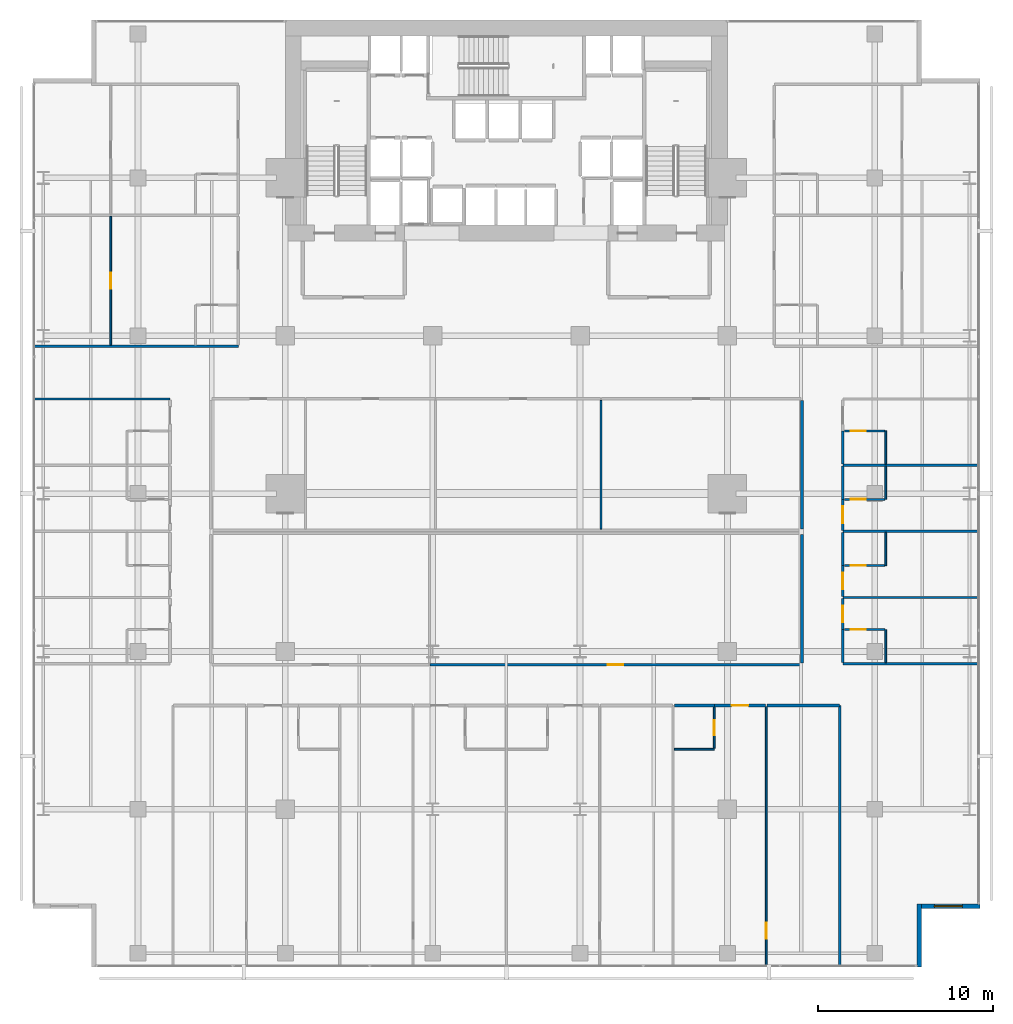
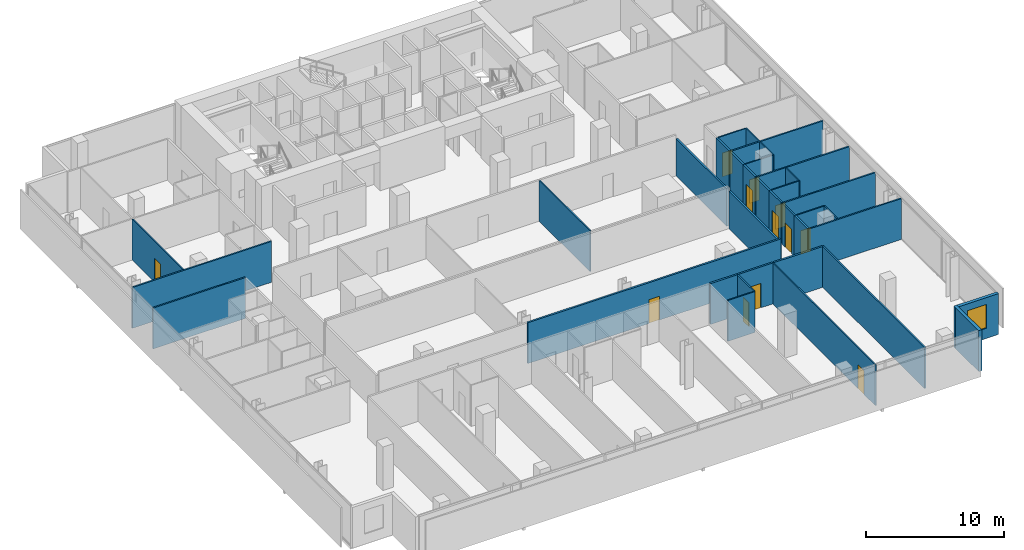
# One storey, part 34 of 40: 35 walls, 12 doors, 1 window, 13 openings.
"""IFC4 building model written with IfcOpenShell, lengths in metres."""

from ifc_helpers import new_model, si_unit, direction, frame, frame_2d, origin, place, context, subcontext, project, spatial, rectangle, extrude, material, layer, layer_set, type_object, element, fill, save


model = new_model("IFC4")

# Units and contexts
model_context = context("Model", 3, precision=1e-05, world=origin(), true_north=direction((0.0, 1.0)))
body_context = subcontext(model_context, "Body", "Model", "MODEL_VIEW")
ifc_project = project(units=[si_unit("LENGTHUNIT", "METRE"), si_unit("AREAUNIT", "SQUARE_METRE"), si_unit("VOLUMEUNIT", "CUBIC_METRE"), si_unit("PLANEANGLEUNIT", "RADIAN"), si_unit("MASSUNIT", "GRAM", prefix="KILO")], contexts=[model_context])

# Site, building, storey
site_placement = place(None, origin())
site = spatial("IfcSite", under=ifc_project, at=site_placement, CompositionType="ELEMENT")
building_placement = place(site_placement, origin())
building = spatial("IfcBuilding", under=site, at=building_placement, Name="Maruvema Waterfront Hotel and Observation Tower", CompositionType="ELEMENT")
storey_placement = place(building_placement, frame((0.0, 0.0, 103.949951171875)))
storey = spatial("IfcBuildingStorey", under=building, at=storey_placement, Name="L25", CompositionType="ELEMENT", Elevation=103.949951171875)

# Walls
ifc_material_1 = material(Name="Twin-stud acoustic gypsum drywall", Category="gypsum")
ifc_layer_1 = layer(ifc_material_1, 0.14990234375, Name="Acoustic Corridor and Suite Demising Wall 150 mm")
ifc_layer_set_1 = layer_set([ifc_layer_1], Name="Twin-stud acoustic gypsum drywall")
wall_type_1 = type_object("IfcWallType", Name="Acoustic Corridor and Suite Demising Wall 150 mm", PredefinedType="PARTITIONING", material=ifc_layer_set_1)
wall_1_placement = place(storey_placement, frame((54.64990234375, 24.97998046875, 0.0), z_axis=(0.0, 0.0, 1.0), x_axis=(0.0, 1.0, 0.0)))
element("IfcWall", 1, at=wall_1_placement, inside=storey, type_object=wall_type_1, Name="L25 L25-INTN East Wall 014", PredefinedType="PARTITIONING", context=body_context, shape_type="SweptSolid", body=[
    extrude(rectangle(XDim=7.340087890625, YDim=0.14990234375, at=frame_2d((3.669921875, 0.0))), origin(), (0.0, 0.0, 1.0), 3.29296875),
])
wall_2_placement = place(storey_placement, frame((54.64990234375, 17.330078125, 0.0), z_axis=(0.0, 0.0, 1.0), x_axis=(0.0, 1.0, 0.0)))
element("IfcWall", 2, at=wall_2_placement, inside=storey, type_object=wall_type_1, Name="L25 L25-INTS East Wall 024", PredefinedType="PARTITIONING", context=body_context, shape_type="SweptSolid", body=[
    extrude(rectangle(XDim=7.329833984375, YDim=0.14990234375, at=frame_2d((3.6650390625, 0.0))), origin(), (0.0, 0.0, 1.0), 3.29296875),
])

# Wall, opening, door
wall_3_placement = place(storey_placement, frame((33.448974609375, 17.25, 0.0), z_axis=(0.0, 0.0, 1.0), x_axis=(1.0, 0.0, 0.0)))
wall_3 = element("IfcWall", 3, at=wall_3_placement, inside=storey, type_object=wall_type_1, Name="L25 L25-INTS Front 2 027", PredefinedType="PARTITIONING", context=body_context, shape_type="SweptSolid", body=[
    extrude(rectangle(XDim=21.14111328125, YDim=0.14990234375, at=frame_2d((10.570556640625, 0.0))), origin(), (0.0, 0.0, 1.0), 3.610107421875),
])
opening_1_placement = place(wall_3_placement, frame((10.12060546875, 0.0, 0.0)))
opening_1 = element("IfcOpeningElement", 4, at=opening_1_placement, cuts=wall_3, Name="Opening DR-090", PredefinedType="OPENING", context=body_context, shape_type="SweptSolid", body=[
    extrude(rectangle(XDim=0.89990234375, YDim=2.10009765625, at=frame_2d((0.449951171875, 1.050048828125))), frame((0.0, 0.0849609375, 0.0), z_axis=(0.0, -1.0, 0.0), x_axis=(1.0, 0.0, 0.0)), (0.0, 0.0, 1.0), 0.169921875),
])
ifc_material_2 = material(Name="Solid-core lacquered timber leaf", Category="wood")
door_type_1 = type_object("IfcDoorType", Name="Accessible Toilet and Room Door 900x2100 mm", OperationType="NOTDEFINED", PredefinedType="DOOR", material=ifc_material_2)
door_1_placement = place(opening_1_placement, frame((0.89990234375, 0.0, 0.0), z_axis=(0.0, 0.0, 1.0), x_axis=(-1.0, 0.0, 0.0)))
door_1 = element("IfcDoor", 5, at=door_1_placement, inside=storey, type_object=door_type_1, Name="L25 Housekeeping Linen Room Door", OperationType="SINGLE_SWING_LEFT", OverallHeight=2.10009765625, OverallWidth=0.89990234375, PredefinedType="DOOR", context=body_context, shape_type="SweptSolid", body=[
    extrude(rectangle(XDim=0.89990234375, YDim=2.10009765625, at=frame_2d((0.449951171875, 1.050048828125))), frame((0.0, 0.02490234375, 0.0), z_axis=(0.0, -1.0, 0.0), x_axis=(1.0, 0.0, 0.0)), (0.0, 0.0, 1.0), 0.050048828125),
])
fill(opening_1, door_1)

# Wall
wall_4_placement = place(storey_placement, frame((47.3798828125, 14.919921875, 0.0), z_axis=(0.0, 0.0, 1.0), x_axis=(1.0, 0.0, 0.0)))
element("IfcWall", 6, at=wall_4_placement, inside=storey, type_object=wall_type_1, Name="L25 Bath L25-S4 Back Wall 051", PredefinedType="PARTITIONING", context=body_context, shape_type="SweptSolid", body=[
    extrude(rectangle(XDim=2.27001953125, YDim=0.14990234375, at=frame_2d((1.135009765625, 0.0))), origin(), (0.0, 0.0, 1.0), 3.610107421875),
])

# Wall, opening, door
wall_5_placement = place(storey_placement, frame((49.64990234375, 14.919921875, 0.0), z_axis=(0.0, 0.0, 1.0), x_axis=(1.0, 0.0, 0.0)))
wall_5 = element("IfcWall", 7, at=wall_5_placement, inside=storey, type_object=wall_type_1, Name="L25 Unit L25-S4 Corridor Wall 054", PredefinedType="PARTITIONING", context=body_context, shape_type="SweptSolid", body=[
    extrude(rectangle(XDim=2.93017578125, YDim=0.14990234375, at=frame_2d((1.465087890625, 0.0))), origin(), (0.0, 0.0, 1.0), 3.610107421875),
])
opening_2_placement = place(wall_5_placement, frame((0.989990234375, 0.0, 0.0)))
opening_2 = element("IfcOpeningElement", 8, at=opening_2_placement, cuts=wall_5, Name="Opening DR-095", PredefinedType="OPENING", context=body_context, shape_type="SweptSolid", body=[
    extrude(rectangle(XDim=0.949951171875, YDim=2.14990234375, at=frame_2d((0.47509765625, 1.074951171875))), frame((0.0, 0.0849609375, 0.0), z_axis=(0.0, -1.0, 0.0), x_axis=(1.0, 0.0, 0.0)), (0.0, 0.0, 1.0), 0.169921875),
])
ifc_material_3 = material(Name="Acoustic solid-core hardwood timber leaf", Category="wood")
door_type_2 = type_object("IfcDoorType", Name="Guestroom Entrance Fire Door 950x2150 mm", OperationType="NOTDEFINED", PredefinedType="DOOR", material=ifc_material_3)
door_2_placement = place(opening_2_placement, frame((0.949951171875, 0.0, 0.0), z_axis=(0.0, 0.0, 1.0), x_axis=(-1.0, 0.0, 0.0)))
door_2 = element("IfcDoor", 9, at=door_2_placement, inside=storey, type_object=door_type_2, Name="L25 Unit L25-S4 Entrance Door", OperationType="SINGLE_SWING_RIGHT", OverallHeight=2.14990234375, OverallWidth=0.949951171875, PredefinedType="DOOR", context=body_context, shape_type="SweptSolid", body=[
    extrude(rectangle(XDim=0.949951171875, YDim=2.14990234375, at=frame_2d((0.47509765625, 1.074951171875))), frame((0.0, 0.02490234375, 0.0), z_axis=(0.0, -1.0, 0.0), x_axis=(1.0, 0.0, 0.0)), (0.0, 0.0, 1.0), 0.050048828125),
])
fill(opening_2, door_2)

# Walls
wall_6_placement = place(storey_placement, frame((52.659912109375, 14.919921875, 0.0), z_axis=(0.0, 0.0, 1.0), x_axis=(1.0, 0.0, 0.0)))
element("IfcWall", 10, at=wall_6_placement, inside=storey, type_object=wall_type_1, Name="L25 Bedroom L25-S4 Back Wall 055", PredefinedType="PARTITIONING", context=body_context, shape_type="SweptSolid", body=[
    extrude(rectangle(XDim=4.1201171875, YDim=0.14990234375, at=frame_2d((2.06005859375, 0.0))), origin(), (0.0, 0.0, 1.0), 3.610107421875),
])
wall_7_placement = place(storey_placement, frame((56.97998046875, 17.360107421875, 0.0), z_axis=(0.0, 0.0, 1.0), x_axis=(0.0, 1.0, 0.0)))
element("IfcWall", 11, at=wall_7_placement, inside=storey, type_object=wall_type_1, Name="L25 Bath L25-E1 Wall 065", PredefinedType="PARTITIONING", context=body_context, shape_type="SweptSolid", body=[
    extrude(rectangle(XDim=1.889892578125, YDim=0.14990234375, at=frame_2d((0.94482421875, 0.0))), origin(), (0.0, 0.0, 1.0), 3.610107421875),
])

# Wall, opening, door
wall_8_placement = place(storey_placement, frame((56.97998046875, 19.25, 0.0), z_axis=(0.0, 0.0, 1.0), x_axis=(0.0, 1.0, 0.0)))
wall_8 = element("IfcWall", 12, at=wall_8_placement, inside=storey, type_object=wall_type_1, Name="L25 Room L25-E1 Corridor Wall 066", PredefinedType="PARTITIONING", context=body_context, shape_type="SweptSolid", body=[
    extrude(rectangle(XDim=1.760009765625, YDim=0.14990234375, at=frame_2d((0.8798828125, 0.0))), origin(), (0.0, 0.0, 1.0), 3.610107421875),
])
opening_3_placement = place(wall_8_placement, frame((0.405029296875, 0.0, 0.0)))
opening_3 = element("IfcOpeningElement", 13, at=opening_3_placement, cuts=wall_8, Name="Opening DR-095", PredefinedType="OPENING", context=body_context, shape_type="SweptSolid", body=[
    extrude(rectangle(XDim=0.949951171875, YDim=2.14990234375, at=frame_2d((0.47509765625, 1.074951171875))), frame((0.0, 0.0849609375, 0.0), z_axis=(0.0, -1.0, 0.0), x_axis=(1.0, 0.0, 0.0)), (0.0, 0.0, 1.0), 0.169921875),
])
door_3_placement = place(opening_3_placement, frame((0.949951171875, 0.0, 0.0), z_axis=(0.0, 0.0, 1.0), x_axis=(-1.0, 0.0, 0.0)))
door_3 = element("IfcDoor", 14, at=door_3_placement, inside=storey, type_object=door_type_2, Name="L25 Room L25-E1 Entrance Door", OperationType="SINGLE_SWING_LEFT", OverallHeight=2.14990234375, OverallWidth=0.949951171875, PredefinedType="DOOR", context=body_context, shape_type="SweptSolid", body=[
    extrude(rectangle(XDim=0.949951171875, YDim=2.14990234375, at=frame_2d((0.47509765625, 1.074951171875))), frame((0.0, 0.02490234375, 0.0), z_axis=(0.0, -1.0, 0.0), x_axis=(1.0, 0.0, 0.0)), (0.0, 0.0, 1.0), 0.050048828125),
])
fill(opening_3, door_3)

wall_9_placement = place(storey_placement, frame((56.97998046875, 21.1298828125, 0.0), z_axis=(0.0, 0.0, 1.0), x_axis=(0.0, 1.0, 0.0)))
wall_9 = element("IfcWall", 15, at=wall_9_placement, inside=storey, type_object=wall_type_1, Name="L25 Room L25-E2 Corridor Wall 075", PredefinedType="PARTITIONING", context=body_context, shape_type="SweptSolid", body=[
    extrude(rectangle(XDim=1.77001953125, YDim=0.14990234375, at=frame_2d((0.885009765625, 0.0))), origin(), (0.0, 0.0, 1.0), 3.610107421875),
])
opening_4_placement = place(wall_9_placement, frame((0.409912109375, 0.0, 0.0)))
opening_4 = element("IfcOpeningElement", 16, at=opening_4_placement, cuts=wall_9, Name="Opening DR-095", PredefinedType="OPENING", context=body_context, shape_type="SweptSolid", body=[
    extrude(rectangle(XDim=0.949951171875, YDim=2.14990234375, at=frame_2d((0.47509765625, 1.074951171875))), frame((0.0, 0.0849609375, 0.0), z_axis=(0.0, -1.0, 0.0), x_axis=(1.0, 0.0, 0.0)), (0.0, 0.0, 1.0), 0.169921875),
])
door_4_placement = place(opening_4_placement, frame((0.949951171875, 0.0, 0.0), z_axis=(0.0, 0.0, 1.0), x_axis=(-1.0, 0.0, 0.0)))
door_4 = element("IfcDoor", 17, at=door_4_placement, inside=storey, type_object=door_type_2, Name="L25 Room L25-E2 Entrance Door", OperationType="SINGLE_SWING_LEFT", OverallHeight=2.14990234375, OverallWidth=0.949951171875, PredefinedType="DOOR", context=body_context, shape_type="SweptSolid", body=[
    extrude(rectangle(XDim=0.949951171875, YDim=2.14990234375, at=frame_2d((0.47509765625, 1.074951171875))), frame((0.0, 0.02490234375, 0.0), z_axis=(0.0, -1.0, 0.0), x_axis=(1.0, 0.0, 0.0)), (0.0, 0.0, 1.0), 0.050048828125),
])
fill(opening_4, door_4)

# Wall
wall_10_placement = place(storey_placement, frame((56.97998046875, 22.89990234375, 0.0), z_axis=(0.0, 0.0, 1.0), x_axis=(0.0, 1.0, 0.0)))
element("IfcWall", 18, at=wall_10_placement, inside=storey, type_object=wall_type_1, Name="L25 Bath L25-E2 Wall 076", PredefinedType="PARTITIONING", context=body_context, shape_type="SweptSolid", body=[
    extrude(rectangle(XDim=1.89013671875, YDim=0.14990234375, at=frame_2d((0.945068359375, 0.0))), origin(), (0.0, 0.0, 1.0), 3.610107421875),
])

# Wall, opening, door
wall_11_placement = place(storey_placement, frame((56.97998046875, 24.909912109375, 0.0), z_axis=(0.0, 0.0, 1.0), x_axis=(0.0, 1.0, 0.0)))
wall_11 = element("IfcWall", 19, at=wall_11_placement, inside=storey, type_object=wall_type_1, Name="L25 Room L25-E3 Corridor Wall 085", PredefinedType="PARTITIONING", context=body_context, shape_type="SweptSolid", body=[
    extrude(rectangle(XDim=1.760009765625, YDim=0.14990234375, at=frame_2d((0.8798828125, 0.0))), origin(), (0.0, 0.0, 1.0), 3.610107421875),
])
opening_5_placement = place(wall_11_placement, frame((0.405029296875, 0.0, 0.0)))
opening_5 = element("IfcOpeningElement", 20, at=opening_5_placement, cuts=wall_11, Name="Opening DR-095", PredefinedType="OPENING", context=body_context, shape_type="SweptSolid", body=[
    extrude(rectangle(XDim=0.949951171875, YDim=2.14990234375, at=frame_2d((0.47509765625, 1.074951171875))), frame((0.0, 0.0849609375, 0.0), z_axis=(0.0, -1.0, 0.0), x_axis=(1.0, 0.0, 0.0)), (0.0, 0.0, 1.0), 0.169921875),
])
door_5_placement = place(opening_5_placement, frame((0.949951171875, 0.0, 0.0), z_axis=(0.0, 0.0, 1.0), x_axis=(-1.0, 0.0, 0.0)))
door_5 = element("IfcDoor", 21, at=door_5_placement, inside=storey, type_object=door_type_2, Name="L25 Room L25-E3 Entrance Door", OperationType="SINGLE_SWING_LEFT", OverallHeight=2.14990234375, OverallWidth=0.949951171875, PredefinedType="DOOR", context=body_context, shape_type="SweptSolid", body=[
    extrude(rectangle(XDim=0.949951171875, YDim=2.14990234375, at=frame_2d((0.47509765625, 1.074951171875))), frame((0.0, 0.02490234375, 0.0), z_axis=(0.0, -1.0, 0.0), x_axis=(1.0, 0.0, 0.0)), (0.0, 0.0, 1.0), 0.050048828125),
])
fill(opening_5, door_5)

# Walls
for number, where, z_axis, x_axis, name in (
    (22, (56.97998046875, 26.669921875, 0.0), (0.0, 0.0, 1.0), (0.0, 1.0, 0.0), "L25 Bath L25-E3 Wall 086"),
    (23, (56.97998046875, 28.679931640625, 0.0), (0.0, 0.0, 1.0), (0.0, 1.0, 0.0), "L25 Bath L25-E4 Wall 095"),
):
    element("IfcWall", number, at=place(storey_placement, frame(where, z_axis=z_axis, x_axis=x_axis)), inside=storey, type_object=wall_type_1, Name=name, PredefinedType="PARTITIONING", context=body_context, shape_type="SweptSolid", body=[
        extrude(rectangle(XDim=1.89013671875, YDim=0.14990234375, at=frame_2d((0.945068359375, 0.0))), origin(), (0.0, 0.0, 1.0), 3.610107421875),
    ])
ifc_material_4 = material(Name="Moisture-resistant cement-board drywall", Category="gypsum")
ifc_layer_2 = layer(ifc_material_4, 0.10009765625, Name="En-Suite Moisture-Resistant Partition 100 mm")
ifc_layer_set_2 = layer_set([ifc_layer_2], Name="Moisture-resistant cement-board drywall")
wall_type_2 = type_object("IfcWallType", Name="En-Suite Moisture-Resistant Partition 100 mm", PredefinedType="PARTITIONING", material=ifc_layer_set_2)
wall_12_placement = place(storey_placement, frame((43.19189453125, 24.97998046875, 0.0), z_axis=(0.0, 0.0, 1.0), x_axis=(0.0, 1.0, 0.0)))
element("IfcWall", 24, at=wall_12_placement, inside=storey, type_object=wall_type_2, Name="L25 L25-INTN Split 3 020", PredefinedType="PARTITIONING", context=body_context, shape_type="SweptSolid", body=[
    extrude(rectangle(XDim=7.340087890625, YDim=0.10009765625, at=frame_2d((3.669921875, 0.0))), origin(), (0.0, 0.0, 1.0), 3.610107421875),
])
wall_13_placement = place(storey_placement, frame((47.3798828125, 12.419921875, 0.0), z_axis=(0.0, 0.0, 1.0), x_axis=(1.0, 0.0, 0.0)))
element("IfcWall", 25, at=wall_13_placement, inside=storey, type_object=wall_type_2, Name="L25 En-Suite L25-S4 South 052", PredefinedType="PARTITIONING", context=body_context, shape_type="SweptSolid", body=[
    extrude(rectangle(XDim=2.27001953125, YDim=0.10009765625, at=frame_2d((1.135009765625, 0.0))), origin(), (0.0, 0.0, 1.0), 3.610107421875),
])

# Wall, opening, door
wall_14_placement = place(storey_placement, frame((49.64990234375, 12.47998046875, 0.0), z_axis=(0.0, 0.0, 1.0), x_axis=(0.0, 1.0, 0.0)))
wall_14 = element("IfcWall", 26, at=wall_14_placement, inside=storey, type_object=wall_type_2, Name="L25 En-Suite L25-S4 East 053", PredefinedType="PARTITIONING", context=body_context, shape_type="SweptSolid", body=[
    extrude(rectangle(XDim=2.340087890625, YDim=0.10009765625, at=frame_2d((1.169921875, 0.0))), origin(), (0.0, 0.0, 1.0), 3.610107421875),
])
opening_6_placement = place(wall_14_placement, frame((0.7451171875, 0.0, 0.0)))
opening_6 = element("IfcOpeningElement", 27, at=opening_6_placement, cuts=wall_14, Name="Opening DR-085", PredefinedType="OPENING", context=body_context, shape_type="SweptSolid", body=[
    extrude(rectangle(XDim=0.85009765625, YDim=2.10009765625, at=frame_2d((0.425048828125, 1.050048828125))), frame((0.0, 0.06005859375, 0.0), z_axis=(0.0, -1.0, 0.0), x_axis=(1.0, 0.0, 0.0)), (0.0, 0.0, 1.0), 0.1201171875),
])
ifc_material_5 = material(Name="Moisture-resistant solid timber leaf", Category="wood")
door_type_3 = type_object("IfcDoorType", Name="En-Suite Bathroom Door 850x2100 mm", OperationType="NOTDEFINED", PredefinedType="DOOR", material=ifc_material_5)
door_6_placement = place(opening_6_placement, frame((0.85009765625, 0.0, 0.0), z_axis=(0.0, 0.0, 1.0), x_axis=(-1.0, 0.0, 0.0)))
door_6 = element("IfcDoor", 28, at=door_6_placement, inside=storey, type_object=door_type_3, Name="L25 En-Suite L25-S4 Door", OperationType="SINGLE_SWING_LEFT", OverallHeight=2.10009765625, OverallWidth=0.85009765625, PredefinedType="DOOR", context=body_context, shape_type="SweptSolid", body=[
    extrude(rectangle(XDim=0.85009765625, YDim=2.10009765625, at=frame_2d((0.425048828125, 1.050048828125))), frame((0.0, 0.02490234375, 0.0), z_axis=(0.0, -1.0, 0.0), x_axis=(1.0, 0.0, 0.0)), (0.0, 0.0, 1.0), 0.050048828125),
])
fill(opening_6, door_6)

wall_15_placement = place(storey_placement, frame((52.6201171875, 0.030029296875, 0.0), z_axis=(0.0, 0.0, 1.0), x_axis=(0.0, 1.0, 0.0)))
wall_15 = element("IfcWall", 29, at=wall_15_placement, inside=storey, type_object=wall_type_2, Name="L25 Suite L25-S4 Split 056", PredefinedType="PARTITIONING", context=body_context, shape_type="SweptSolid", body=[
    extrude(rectangle(XDim=14.830078125, YDim=0.10009765625, at=frame_2d((7.4150390625, 0.0))), origin(), (0.0, 0.0, 1.0), 3.610107421875),
])
opening_7_placement = place(wall_15_placement, frame((1.60009765625, 0.0, 0.0)))
opening_7 = element("IfcOpeningElement", 30, at=opening_7_placement, cuts=wall_15, Name="Opening DR-090", PredefinedType="OPENING", context=body_context, shape_type="SweptSolid", body=[
    extrude(rectangle(XDim=0.89990234375, YDim=2.10009765625, at=frame_2d((0.449951171875, 1.050048828125))), frame((0.0, 0.06005859375, 0.0), z_axis=(0.0, -1.0, 0.0), x_axis=(1.0, 0.0, 0.0)), (0.0, 0.0, 1.0), 0.1201171875),
])
door_7_placement = place(opening_7_placement, origin())
door_7 = element("IfcDoor", 31, at=door_7_placement, inside=storey, type_object=door_type_1, Name="L25 Suite L25-S4 Bedroom Door", OperationType="SINGLE_SWING_LEFT", OverallHeight=2.10009765625, OverallWidth=0.89990234375, PredefinedType="DOOR", context=body_context, shape_type="SweptSolid", body=[
    extrude(rectangle(XDim=0.89990234375, YDim=2.10009765625, at=frame_2d((0.449951171875, 1.050048828125))), frame((0.0, 0.02490234375, 0.0), z_axis=(0.0, -1.0, 0.0), x_axis=(1.0, 0.0, 0.0)), (0.0, 0.0, 1.0), 0.050048828125),
])
fill(opening_7, door_7)

# Wall
wall_16_placement = place(storey_placement, frame((59.429931640625, 17.360107421875, 0.0), z_axis=(0.0, 0.0, 1.0), x_axis=(0.0, 1.0, 0.0)))
element("IfcWall", 32, at=wall_16_placement, inside=storey, type_object=wall_type_2, Name="L25 En-Suite L25-E1 E 067", PredefinedType="PARTITIONING", context=body_context, shape_type="SweptSolid", body=[
    extrude(rectangle(XDim=1.889892578125, YDim=0.10009765625, at=frame_2d((0.94482421875, 0.0))), origin(), (0.0, 0.0, 1.0), 3.610107421875),
])

# Wall, opening, door
wall_17_placement = place(storey_placement, frame((57.080078125, 19.25, 0.0), z_axis=(0.0, 0.0, 1.0), x_axis=(1.0, 0.0, 0.0)))
wall_17 = element("IfcWall", 33, at=wall_17_placement, inside=storey, type_object=wall_type_2, Name="L25 En-Suite L25-E1 N 068", PredefinedType="PARTITIONING", context=body_context, shape_type="SweptSolid", body=[
    extrude(rectangle(XDim=2.2998046875, YDim=0.10009765625, at=frame_2d((1.14990234375, 0.0))), origin(), (0.0, 0.0, 1.0), 3.610107421875),
])
opening_8_placement = place(wall_17_placement, frame((0.35009765625, 0.0, 0.0)))
opening_8 = element("IfcOpeningElement", 34, at=opening_8_placement, cuts=wall_17, Name="Opening DR-085", PredefinedType="OPENING", context=body_context, shape_type="SweptSolid", body=[
    extrude(rectangle(XDim=0.85009765625, YDim=2.10009765625, at=frame_2d((0.425048828125, 1.050048828125))), frame((0.0, 0.06005859375, 0.0), z_axis=(0.0, -1.0, 0.0), x_axis=(1.0, 0.0, 0.0)), (0.0, 0.0, 1.0), 0.1201171875),
])
door_8_placement = place(opening_8_placement, origin())
door_8 = element("IfcDoor", 35, at=door_8_placement, inside=storey, type_object=door_type_3, Name="L25 En-Suite L25-E1 Door", OperationType="SINGLE_SWING_RIGHT", OverallHeight=2.10009765625, OverallWidth=0.85009765625, PredefinedType="DOOR", context=body_context, shape_type="SweptSolid", body=[
    extrude(rectangle(XDim=0.85009765625, YDim=2.10009765625, at=frame_2d((0.425048828125, 1.050048828125))), frame((0.0, 0.02490234375, 0.0), z_axis=(0.0, -1.0, 0.0), x_axis=(1.0, 0.0, 0.0)), (0.0, 0.0, 1.0), 0.050048828125),
])
fill(opening_8, door_8)

# Wall
wall_18_placement = place(storey_placement, frame((59.429931640625, 22.89990234375, 0.0), z_axis=(0.0, 0.0, 1.0), x_axis=(0.0, 1.0, 0.0)))
element("IfcWall", 36, at=wall_18_placement, inside=storey, type_object=wall_type_2, Name="L25 En-Suite L25-E2 E 077", PredefinedType="PARTITIONING", context=body_context, shape_type="SweptSolid", body=[
    extrude(rectangle(XDim=1.89013671875, YDim=0.10009765625, at=frame_2d((0.945068359375, 0.0))), origin(), (0.0, 0.0, 1.0), 3.610107421875),
])

# Wall, opening, door
wall_19_placement = place(storey_placement, frame((57.080078125, 22.89990234375, 0.0), z_axis=(0.0, 0.0, 1.0), x_axis=(1.0, 0.0, 0.0)))
wall_19 = element("IfcWall", 37, at=wall_19_placement, inside=storey, type_object=wall_type_2, Name="L25 En-Suite L25-E2 S 078", PredefinedType="PARTITIONING", context=body_context, shape_type="SweptSolid", body=[
    extrude(rectangle(XDim=2.2998046875, YDim=0.10009765625, at=frame_2d((1.14990234375, 0.0))), origin(), (0.0, 0.0, 1.0), 3.610107421875),
])
opening_9_placement = place(wall_19_placement, frame((0.35009765625, 0.0, 0.0)))
opening_9 = element("IfcOpeningElement", 38, at=opening_9_placement, cuts=wall_19, Name="Opening DR-085", PredefinedType="OPENING", context=body_context, shape_type="SweptSolid", body=[
    extrude(rectangle(XDim=0.85009765625, YDim=2.10009765625, at=frame_2d((0.425048828125, 1.050048828125))), frame((0.0, 0.06005859375, 0.0), z_axis=(0.0, -1.0, 0.0), x_axis=(1.0, 0.0, 0.0)), (0.0, 0.0, 1.0), 0.1201171875),
])
door_9_placement = place(opening_9_placement, frame((0.85009765625, 0.0, 0.0), z_axis=(0.0, 0.0, 1.0), x_axis=(-1.0, 0.0, 0.0)))
door_9 = element("IfcDoor", 39, at=door_9_placement, inside=storey, type_object=door_type_3, Name="L25 En-Suite L25-E2 Door", OperationType="SINGLE_SWING_RIGHT", OverallHeight=2.10009765625, OverallWidth=0.85009765625, PredefinedType="DOOR", context=body_context, shape_type="SweptSolid", body=[
    extrude(rectangle(XDim=0.85009765625, YDim=2.10009765625, at=frame_2d((0.425048828125, 1.050048828125))), frame((0.0, 0.02490234375, 0.0), z_axis=(0.0, -1.0, 0.0), x_axis=(1.0, 0.0, 0.0)), (0.0, 0.0, 1.0), 0.050048828125),
])
fill(opening_9, door_9)

# Wall
wall_20_placement = place(storey_placement, frame((59.429931640625, 26.669921875, 0.0), z_axis=(0.0, 0.0, 1.0), x_axis=(0.0, 1.0, 0.0)))
element("IfcWall", 40, at=wall_20_placement, inside=storey, type_object=wall_type_2, Name="L25 En-Suite L25-E3 E 087", PredefinedType="PARTITIONING", context=body_context, shape_type="SweptSolid", body=[
    extrude(rectangle(XDim=1.89013671875, YDim=0.10009765625, at=frame_2d((0.945068359375, 0.0))), origin(), (0.0, 0.0, 1.0), 3.610107421875),
])

# Wall, opening, door
wall_21_placement = place(storey_placement, frame((57.080078125, 26.669921875, 0.0), z_axis=(0.0, 0.0, 1.0), x_axis=(1.0, 0.0, 0.0)))
wall_21 = element("IfcWall", 41, at=wall_21_placement, inside=storey, type_object=wall_type_2, Name="L25 En-Suite L25-E3 S 088", PredefinedType="PARTITIONING", context=body_context, shape_type="SweptSolid", body=[
    extrude(rectangle(XDim=2.2998046875, YDim=0.10009765625, at=frame_2d((1.14990234375, 0.0))), origin(), (0.0, 0.0, 1.0), 3.610107421875),
])
opening_10_placement = place(wall_21_placement, frame((0.35009765625, 0.0, 0.0)))
opening_10 = element("IfcOpeningElement", 42, at=opening_10_placement, cuts=wall_21, Name="Opening DR-085", PredefinedType="OPENING", context=body_context, shape_type="SweptSolid", body=[
    extrude(rectangle(XDim=0.85009765625, YDim=2.10009765625, at=frame_2d((0.425048828125, 1.050048828125))), frame((0.0, 0.06005859375, 0.0), z_axis=(0.0, -1.0, 0.0), x_axis=(1.0, 0.0, 0.0)), (0.0, 0.0, 1.0), 0.1201171875),
])
door_10_placement = place(opening_10_placement, frame((0.85009765625, 0.0, 0.0), z_axis=(0.0, 0.0, 1.0), x_axis=(-1.0, 0.0, 0.0)))
door_10 = element("IfcDoor", 43, at=door_10_placement, inside=storey, type_object=door_type_3, Name="L25 En-Suite L25-E3 Door", OperationType="SINGLE_SWING_RIGHT", OverallHeight=2.10009765625, OverallWidth=0.85009765625, PredefinedType="DOOR", context=body_context, shape_type="SweptSolid", body=[
    extrude(rectangle(XDim=0.85009765625, YDim=2.10009765625, at=frame_2d((0.425048828125, 1.050048828125))), frame((0.0, 0.02490234375, 0.0), z_axis=(0.0, -1.0, 0.0), x_axis=(1.0, 0.0, 0.0)), (0.0, 0.0, 1.0), 0.050048828125),
])
fill(opening_10, door_10)

# Wall
wall_22_placement = place(storey_placement, frame((59.429931640625, 28.679931640625, 0.0), z_axis=(0.0, 0.0, 1.0), x_axis=(0.0, 1.0, 0.0)))
element("IfcWall", 44, at=wall_22_placement, inside=storey, type_object=wall_type_2, Name="L25 En-Suite L25-E4 E 097", PredefinedType="PARTITIONING", context=body_context, shape_type="SweptSolid", body=[
    extrude(rectangle(XDim=1.89013671875, YDim=0.10009765625, at=frame_2d((0.945068359375, 0.0))), origin(), (0.0, 0.0, 1.0), 3.610107421875),
])

# Wall, opening, door
wall_23_placement = place(storey_placement, frame((57.080078125, 30.570068359375, 0.0), z_axis=(0.0, 0.0, 1.0), x_axis=(1.0, 0.0, 0.0)))
wall_23 = element("IfcWall", 45, at=wall_23_placement, inside=storey, type_object=wall_type_2, Name="L25 En-Suite L25-E4 N 098", PredefinedType="PARTITIONING", context=body_context, shape_type="SweptSolid", body=[
    extrude(rectangle(XDim=2.2998046875, YDim=0.10009765625, at=frame_2d((1.14990234375, 0.0))), origin(), (0.0, 0.0, 1.0), 3.610107421875),
])
opening_11_placement = place(wall_23_placement, frame((0.35009765625, 0.0, 0.0)))
opening_11 = element("IfcOpeningElement", 46, at=opening_11_placement, cuts=wall_23, Name="Opening DR-085", PredefinedType="OPENING", context=body_context, shape_type="SweptSolid", body=[
    extrude(rectangle(XDim=0.85009765625, YDim=2.10009765625, at=frame_2d((0.425048828125, 1.050048828125))), frame((0.0, 0.06005859375, 0.0), z_axis=(0.0, -1.0, 0.0), x_axis=(1.0, 0.0, 0.0)), (0.0, 0.0, 1.0), 0.1201171875),
])
door_11_placement = place(opening_11_placement, origin())
door_11 = element("IfcDoor", 47, at=door_11_placement, inside=storey, type_object=door_type_3, Name="L25 En-Suite L25-E4 Door", OperationType="SINGLE_SWING_RIGHT", OverallHeight=2.10009765625, OverallWidth=0.85009765625, PredefinedType="DOOR", context=body_context, shape_type="SweptSolid", body=[
    extrude(rectangle(XDim=0.85009765625, YDim=2.10009765625, at=frame_2d((0.425048828125, 1.050048828125))), frame((0.0, 0.02490234375, 0.0), z_axis=(0.0, -1.0, 0.0), x_axis=(1.0, 0.0, 0.0)), (0.0, 0.0, 1.0), 0.050048828125),
])
fill(opening_11, door_11)

wall_24_placement = place(storey_placement, frame((15.24951171875, 35.4599609375, 0.0), z_axis=(0.0, 0.0, 1.0), x_axis=(0.0, 1.0, 0.0)))
wall_24 = element("IfcWall", 48, at=wall_24_placement, inside=storey, type_object=wall_type_2, Name="L25 Suite L25-NW1 Split 107", PredefinedType="PARTITIONING", context=body_context, shape_type="SweptSolid", body=[
    extrude(rectangle(XDim=7.3486328125, YDim=0.10009765625, at=frame_2d((3.67431640625, 0.0))), origin(), (0.0, 0.0, 1.0), 3.610107421875),
])
opening_12_placement = place(wall_24_placement, frame((3.224365234375, 0.0, 0.0)))
opening_12 = element("IfcOpeningElement", 49, at=opening_12_placement, cuts=wall_24, Name="Opening DR-090", PredefinedType="OPENING", context=body_context, shape_type="SweptSolid", body=[
    extrude(rectangle(XDim=0.89990234375, YDim=2.10009765625, at=frame_2d((0.449951171875, 1.050048828125))), frame((0.0, 0.06005859375, 0.0), z_axis=(0.0, -1.0, 0.0), x_axis=(1.0, 0.0, 0.0)), (0.0, 0.0, 1.0), 0.1201171875),
])
door_12_placement = place(opening_12_placement, origin())
door_12 = element("IfcDoor", 50, at=door_12_placement, inside=storey, type_object=door_type_1, Name="L25 Suite L25-NW1 Bedroom Door", OperationType="SINGLE_SWING_RIGHT", OverallHeight=2.10009765625, OverallWidth=0.89990234375, PredefinedType="DOOR", context=body_context, shape_type="SweptSolid", body=[
    extrude(rectangle(XDim=0.89990234375, YDim=2.10009765625, at=frame_2d((0.449951171875, 1.050048828125))), frame((0.0, 0.02490234375, 0.0), z_axis=(0.0, -1.0, 0.0), x_axis=(1.0, 0.0, 0.0)), (0.0, 0.0, 1.0), 0.050048828125),
])
fill(opening_12, door_12)

# Wall
ifc_material_6 = material(Name="Precast concrete C45/55 with honed Pernambuco granite facing", Category="masonry")
ifc_layer_3 = layer(ifc_material_6, 0.260009765625, Name="Exterior Granite Clad Spandrel and Pier Wall 260 mm")
ifc_layer_set_3 = layer_set([ifc_layer_3], Name="Precast concrete C45/55 with honed Pernambuco granite facing")
wall_type_3 = type_object("IfcWallType", Name="Exterior Granite Clad Spandrel and Pier Wall 260 mm", PredefinedType="SOLIDWALL", material=ifc_layer_set_3)
wall_25_placement = place(storey_placement, frame((61.330078125, 3.60009765625, 0.0), z_axis=(0.0, 0.0, 1.0), x_axis=(0.0, -1.0, 0.0)))
element("IfcWall", 51, at=wall_25_placement, inside=storey, type_object=wall_type_3, Name="L25 Corner Notch Granite Pier Wall SE1", PredefinedType="SOLIDWALL", context=body_context, shape_type="SweptSolid", body=[
    extrude(rectangle(XDim=3.60009765625, YDim=0.260009765625, at=frame_2d((1.800048828125, 0.0))), origin(), (0.0, 0.0, 1.0), 3.610107421875),
])

# Wall, opening, window
wall_26_placement = place(storey_placement, frame((64.800048828125, 3.469970703125, 0.0), z_axis=(0.0, 0.0, 1.0), x_axis=(-1.0, 0.0, 0.0)))
wall_26 = element("IfcWall", 52, at=wall_26_placement, inside=storey, type_object=wall_type_3, Name="L25 Corner Notch Granite Pier Wall SE2", PredefinedType="SOLIDWALL", context=body_context, shape_type="SweptSolid", body=[
    extrude(rectangle(XDim=3.60009765625, YDim=0.260009765625, at=frame_2d((1.800048828125, 0.0))), origin(), (0.0, 0.0, 1.0), 3.610107421875),
])
opening_13_placement = place(wall_26_placement, frame((1.0, 0.0, 0.89990234375)))
opening_13 = element("IfcOpeningElement", 53, at=opening_13_placement, cuts=wall_26, Name="Opening WN-01", PredefinedType="OPENING", context=body_context, shape_type="SweptSolid", body=[
    extrude(rectangle(XDim=1.60009765625, YDim=2.10009765625, at=frame_2d((0.800048828125, 1.050048828125))), frame((0.0, 0.14013671875, 0.0), z_axis=(0.0, -1.0, 0.0), x_axis=(1.0, 0.0, 0.0)), (0.0, 0.0, 1.0), 0.280029296875),
])
ifc_material_7 = material(Name="Anodised bronze aluminium frame with laminated low-E glass", Category="aluminium")
window_type = type_object("IfcWindowType", Name="Corner Notch Feature Window 1600x2100 mm", PartitioningType="SINGLE_PANEL", PredefinedType="WINDOW", material=ifc_material_7)
window_placement = place(opening_13_placement, origin())
window = element("IfcWindow", 54, at=window_placement, inside=storey, type_object=window_type, Name="L25 Corner Notch Punched Window SE2", OverallHeight=2.10009765625, OverallWidth=1.60009765625, PartitioningType="SINGLE_PANEL", PredefinedType="WINDOW", context=body_context, shape_type="SweptSolid", body=[
    extrude(rectangle(XDim=1.60009765625, YDim=2.10009765625, at=frame_2d((0.800048828125, 1.050048828125))), frame((0.0, 0.030029296875, 0.0), z_axis=(0.0, -1.0, 0.0), x_axis=(1.0, 0.0, 0.0)), (0.0, 0.0, 1.0), 0.06005859375),
])
fill(opening_13, window)

# Walls
ifc_material_8 = material(Name="Acoustic gypsum plasterboard drywall", Category="gypsum")
ifc_layer_4 = layer(ifc_material_8, 0.125, Name="Guestroom Acoustic Demising Wall 125 mm")
ifc_layer_set_4 = layer_set([ifc_layer_4], Name="Acoustic gypsum plasterboard drywall")
wall_type_4 = type_object("IfcWallType", Name="Guestroom Acoustic Demising Wall 125 mm", PredefinedType="PARTITIONING", material=ifc_layer_set_4)
wall_27_placement = place(storey_placement, frame((56.800048828125, 0.10009765625, 0.0), z_axis=(0.0, 0.0, 1.0), x_axis=(0.0, 1.0, 0.0)))
element("IfcWall", 55, at=wall_27_placement, inside=storey, type_object=wall_type_4, Name="L25 S East End 029", PredefinedType="PARTITIONING", context=body_context, shape_type="SweptSolid", body=[
    extrude(rectangle(XDim=14.81982421875, YDim=0.125, at=frame_2d((7.409912109375, 0.0))), origin(), (0.0, 0.0, 1.0), 3.610107421875),
])
wall_28_placement = place(storey_placement, frame((56.97998046875, 17.300048828125, 0.0), z_axis=(0.0, 0.0, 1.0), x_axis=(1.0, 0.0, 0.0)))
element("IfcWall", 56, at=wall_28_placement, inside=storey, type_object=wall_type_4, Name="L25 E Bot End 058", PredefinedType="PARTITIONING", context=body_context, shape_type="SweptSolid", body=[
    extrude(rectangle(XDim=7.719970703125, YDim=0.125, at=frame_2d((3.85986328125, 0.0))), origin(), (0.0, 0.0, 1.0), 3.610107421875),
])
wall_29_placement = place(storey_placement, frame((10.89990234375, 32.39990234375, 0.0), z_axis=(0.0, 0.0, 1.0), x_axis=(1.0, 0.0, 0.0)))
element("IfcWall", 57, at=wall_29_placement, inside=storey, type_object=wall_type_4, Name="L25 W Top End 059", PredefinedType="PARTITIONING", context=body_context, shape_type="SweptSolid", body=[
    extrude(rectangle(XDim=7.72021484375, YDim=0.125, at=frame_2d((3.860107421875, 0.0))), origin(), (0.0, 0.0, 1.0), 3.610107421875),
])
for number, where, z_axis, x_axis, name in (
    (58, (56.97998046875, 21.070068359375, 0.0), (0.0, 0.0, 1.0), (1.0, 0.0, 0.0), "L25 E Demising 2 070"),
    (59, (56.97998046875, 24.85009765625, 0.0), (0.0, 0.0, 1.0), (1.0, 0.0, 0.0), "L25 E Demising 3 080"),
    (60, (56.97998046875, 28.6201171875, 0.0), (0.0, 0.0, 1.0), (1.0, 0.0, 0.0), "L25 E Demising 4 090"),
):
    element("IfcWall", number, at=place(storey_placement, frame(where, z_axis=z_axis, x_axis=x_axis)), inside=storey, type_object=wall_type_4, Name=name, PredefinedType="PARTITIONING", context=body_context, shape_type="SweptSolid", body=[
        extrude(rectangle(XDim=7.719970703125, YDim=0.125, at=frame_2d((3.85986328125, 0.0))), origin(), (0.0, 0.0, 1.0), 3.610107421875),
    ])
wall_30_placement = place(storey_placement, frame((10.89990234375, 35.39990234375, 0.0), z_axis=(0.0, 0.0, 1.0), x_axis=(1.0, 0.0, 0.0)))
element("IfcWall", 61, at=wall_30_placement, inside=storey, type_object=wall_type_4, Name="L25 NW Bot End 099", PredefinedType="PARTITIONING", context=body_context, shape_type="SweptSolid", body=[
    extrude(rectangle(XDim=11.6201171875, YDim=0.125, at=frame_2d((5.81005859375, 0.0))), origin(), (0.0, 0.0, 1.0), 3.610107421875),
])

save(model, "model.ifc")
